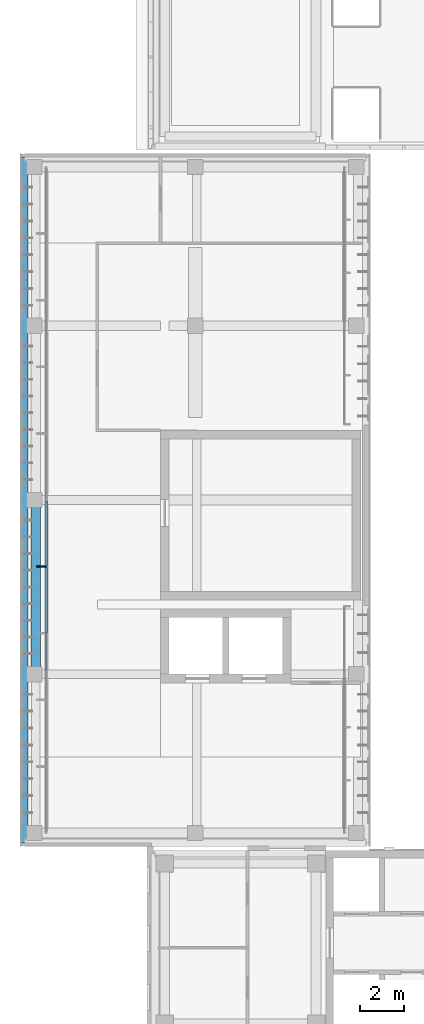
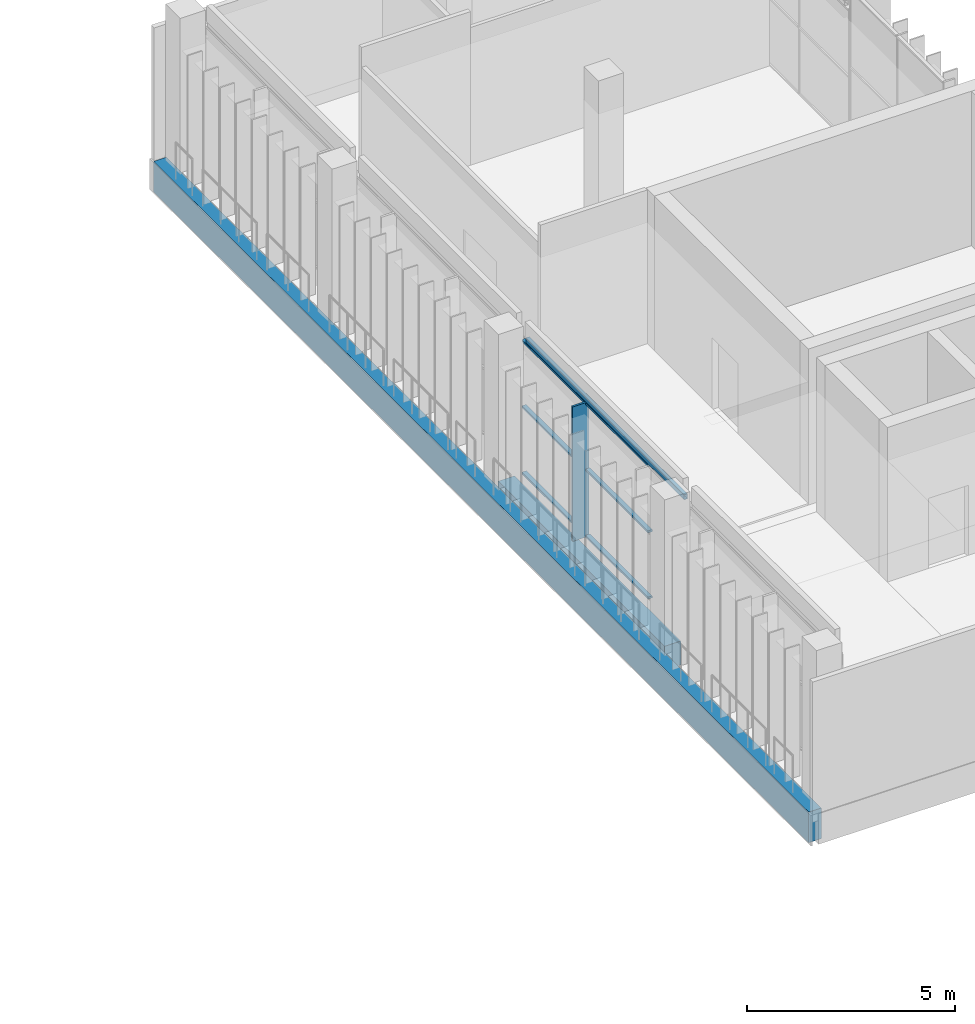
# One storey, part 12 of 46: 7 members, 3 beams, 1 element without a shape of its own.
"""IFC4 building model written with IfcOpenShell, lengths in metres."""

from ifc_helpers import new_model, si_unit, direction, frame, origin, origin_2d, place, context, subcontext, project, spatial, rectangle, hollow_rectangle, extrude, material, material_profile, profile_set, type_object, element, aggregate, save


model = new_model("IFC4")

# Units and contexts
model_context = context("Model", 3, precision=1e-05, world=origin(), true_north=direction((0.0, 1.0)))
body_context = subcontext(model_context, "Body", "Model", "MODEL_VIEW")
ifc_project = project(units=[si_unit("LENGTHUNIT", "METRE"), si_unit("AREAUNIT", "SQUARE_METRE"), si_unit("VOLUMEUNIT", "CUBIC_METRE"), si_unit("PLANEANGLEUNIT", "RADIAN"), si_unit("MASSUNIT", "GRAM", prefix="KILO")], contexts=[model_context])

# Site, building, storey
site_placement = place(None, origin())
site = spatial("IfcSite", under=ifc_project, at=site_placement, CompositionType="ELEMENT")
building_placement = place(site_placement, origin())
building = spatial("IfcBuilding", under=site, at=building_placement, Name="Lantern Court Media Centre", CompositionType="ELEMENT")
storey_placement = place(building_placement, frame((0.0, 0.0, 28.800048828125)))
storey = spatial("IfcBuildingStorey", under=building, at=storey_placement, Name="L06", CompositionType="ELEMENT", Elevation=28.800048828125)

# Curtain wall, members
ifc_material_1 = material(Name="Curtain wall bay 3000")
curtain_wall_type = type_object("IfcCurtainWallType", Name="Curtain wall bay 3000", PredefinedType="NOTDEFINED", material=ifc_material_1)
curtain_wall_placement = place(storey_placement, origin())
curtain_wall = element("IfcCurtainWall", 1, at=curtain_wall_placement, inside=storey, type_object=curtain_wall_type, Name="Curtain wall W outer L06", PredefinedType="NOTDEFINED")
ifc_material_2 = material(Name="Anodised aluminium", Category="aluminium")
ifc_material_profile_1 = material_profile(ifc_material_2, rectangle(XDim=0.449951171875, YDim=0.06005859375, at=origin_2d()), Name="AL 60x450")
ifc_profile_set_1 = profile_set([ifc_material_profile_1], Name="Anodised aluminium")
member_type_1 = type_object("IfcMemberType", Name="Curtain wall mullion 60x450", PredefinedType="MULLION", material=ifc_profile_set_1)
member_1_placement = place(storey_placement, frame((2.955078125, 76.93994140625, 0.0), z_axis=(0.0, 0.0, 1.0), x_axis=(-1.0, 0.0, 0.0)))
member_1 = element("IfcMember", 2, at=member_1_placement, type_object=member_type_1, Name="CW1 mullion 5", PredefinedType="MULLION", context=body_context, shape_type="SweptSolid", body=[
    extrude(rectangle(XDim=0.449951171875, YDim=0.06005859375, at=origin_2d()), origin(), (0.0, 0.0, 1.0), 3.949951171875),
])
ifc_material_profile_2 = material_profile(ifc_material_2, rectangle(XDim=0.1201171875, YDim=0.06005859375, at=origin_2d()), Name="AL 60x120")
ifc_profile_set_2 = profile_set([ifc_material_profile_2], Name="Anodised aluminium")
member_type_2 = type_object("IfcMemberType", Name="Curtain wall transom 60x120", PredefinedType="USERDEFINED", material=ifc_profile_set_2)
member_2_placement = place(storey_placement, frame((3.14990234375, 73.909912109375, 0.030029296875), z_axis=(0.0, 1.0, 0.0), x_axis=(-1.0, 0.0, 0.0)))
member_2 = element("IfcMember", 3, at=member_2_placement, type_object=member_type_2, Name="CW1 transom 4.1", ObjectType="TRANSOM", PredefinedType="USERDEFINED", context=body_context, shape_type="SweptSolid", body=[
    extrude(rectangle(XDim=0.1201171875, YDim=0.06005859375, at=origin_2d()), origin(), (0.0, 0.0, 1.0), 3.0),
])
member_3_placement = place(storey_placement, frame((3.14990234375, 73.909912109375, 1.974853515625), z_axis=(0.0, 1.0, 0.0), x_axis=(-1.0, 0.0, 0.0)))
member_3 = element("IfcMember", 4, at=member_3_placement, type_object=member_type_2, Name="CW1 transom 4.2", ObjectType="TRANSOM", PredefinedType="USERDEFINED", context=body_context, shape_type="SweptSolid", body=[
    extrude(rectangle(XDim=0.1201171875, YDim=0.06005859375, at=origin_2d()), origin(), (0.0, 0.0, 1.0), 3.0),
])
member_4_placement = place(storey_placement, frame((3.14990234375, 73.909912109375, 3.919921875), z_axis=(0.0, 1.0, 0.0), x_axis=(-1.0, 0.0, 0.0)))
member_4 = element("IfcMember", 5, at=member_4_placement, type_object=member_type_2, Name="CW1 transom 4.3", ObjectType="TRANSOM", PredefinedType="USERDEFINED", context=body_context, shape_type="SweptSolid", body=[
    extrude(rectangle(XDim=0.1201171875, YDim=0.06005859375, at=origin_2d()), origin(), (0.0, 0.0, 1.0), 3.0),
])
member_5_placement = place(storey_placement, frame((3.14990234375, 76.969970703125, 0.030029296875), z_axis=(0.0, 1.0, 0.0), x_axis=(-1.0, 0.0, 0.0)))
member_5 = element("IfcMember", 6, at=member_5_placement, type_object=member_type_2, Name="CW1 transom 5.1", ObjectType="TRANSOM", PredefinedType="USERDEFINED", context=body_context, shape_type="SweptSolid", body=[
    extrude(rectangle(XDim=0.1201171875, YDim=0.06005859375, at=origin_2d()), origin(), (0.0, 0.0, 1.0), 3.0),
])
member_6_placement = place(storey_placement, frame((3.14990234375, 76.969970703125, 1.974853515625), z_axis=(0.0, 1.0, 0.0), x_axis=(-1.0, 0.0, 0.0)))
member_6 = element("IfcMember", 7, at=member_6_placement, type_object=member_type_2, Name="CW1 transom 5.2", ObjectType="TRANSOM", PredefinedType="USERDEFINED", context=body_context, shape_type="SweptSolid", body=[
    extrude(rectangle(XDim=0.1201171875, YDim=0.06005859375, at=origin_2d()), origin(), (0.0, 0.0, 1.0), 3.0),
])
member_7_placement = place(storey_placement, frame((3.14990234375, 76.969970703125, 3.919921875), z_axis=(0.0, 1.0, 0.0), x_axis=(-1.0, 0.0, 0.0)))
member_7 = element("IfcMember", 8, at=member_7_placement, type_object=member_type_2, Name="CW1 transom 5.3", ObjectType="TRANSOM", PredefinedType="USERDEFINED", context=body_context, shape_type="SweptSolid", body=[
    extrude(rectangle(XDim=0.1201171875, YDim=0.06005859375, at=origin_2d()), origin(), (0.0, 0.0, 1.0), 3.0),
])
aggregate(curtain_wall, [member_1, member_2, member_3, member_4, member_5, member_6, member_7])

# Beams
ifc_material_3 = material(Name="Steel S355J2 (EN 10025-2)", Category="steel")
ifc_material_profile_3 = material_profile(ifc_material_3, hollow_rectangle(XDim=0.10009765625, YDim=0.14990234375, WallThickness=0.00634765625, InnerFilletRadius=0.00634765625, OuterFilletRadius=0.009521484375, at=origin_2d()), Name="Facade head lintel RHS 150x100x6.3")
ifc_profile_set_3 = profile_set([ifc_material_profile_3], Name="Steel S355J2 (EN 10025-2)")
beam_type_1 = type_object("IfcBeamType", Name="Facade head lintel RHS 150x100x6.3", PredefinedType="BEAM", material=ifc_profile_set_3)
beam_1_placement = place(storey_placement, frame((3.14990234375, 72.199951171875, 4.02490234375), z_axis=(0.0, 1.0, 0.0), x_axis=(-1.0, 0.0, 0.0)))
element("IfcBeam", 9, at=beam_1_placement, inside=storey, type_object=beam_type_1, Name="Facade head lintel W L06", PredefinedType="BEAM", context=body_context, shape_type="SweptSolid", body=[
    extrude(hollow_rectangle(XDim=0.10009765625, YDim=0.14990234375, WallThickness=0.00634765625, InnerFilletRadius=0.00634765625, OuterFilletRadius=0.009521484375, at=origin_2d()), origin(), (0.0, 0.0, 1.0), 7.60009765625),
])
ifc_material_4 = material(Name="Concrete C35", Category="concrete")
ifc_material_profile_4 = material_profile(ifc_material_4, rectangle(XDim=0.35009765625, YDim=0.89990234375, at=origin_2d()), Name="RC 350x900")
ifc_profile_set_4 = profile_set([ifc_material_profile_4], Name="Concrete C35")
beam_type_2 = type_object("IfcBeamType", Name="RC BEAM 350x900", PredefinedType="BEAM", material=ifc_profile_set_4)
beam_2_placement = place(storey_placement, frame((2.14990234375, 64.25, -0.449951171875), z_axis=(0.0, 1.0, 0.0), x_axis=(-1.0, 0.0, 0.0)))
element("IfcBeam", 10, at=beam_2_placement, inside=storey, type_object=beam_type_2, Name="EB-W-L06-A", PredefinedType="BEAM", context=body_context, shape_type="SweptSolid", body=[
    extrude(rectangle(XDim=0.35009765625, YDim=0.89990234375, at=origin_2d()), origin(), (0.0, 0.0, 1.0), 31.5),
])
ifc_material_profile_5 = material_profile(ifc_material_4, rectangle(XDim=0.449951171875, YDim=0.699951171875, at=origin_2d()), Name="RC 450x700")
ifc_profile_set_5 = profile_set([ifc_material_profile_5], Name="Concrete C35")
beam_type_3 = type_object("IfcBeamType", Name="RC BEAM 450x700", PredefinedType="BEAM", material=ifc_profile_set_5)
beam_3_placement = place(storey_placement, frame((2.6728515625, 72.0, -0.35009765625), z_axis=(0.0, 1.0, 0.0), x_axis=(-1.0, 0.0, 0.0)))
element("IfcBeam", 11, at=beam_3_placement, inside=storey, type_object=beam_type_3, Name="LB-W-L06-0-1", PredefinedType="BEAM", context=body_context, shape_type="SweptSolid", body=[
    extrude(rectangle(XDim=0.449951171875, YDim=0.699951171875, at=origin_2d()), origin(), (0.0, 0.0, 1.0), 8.0),
])

save(model, "model.ifc")
